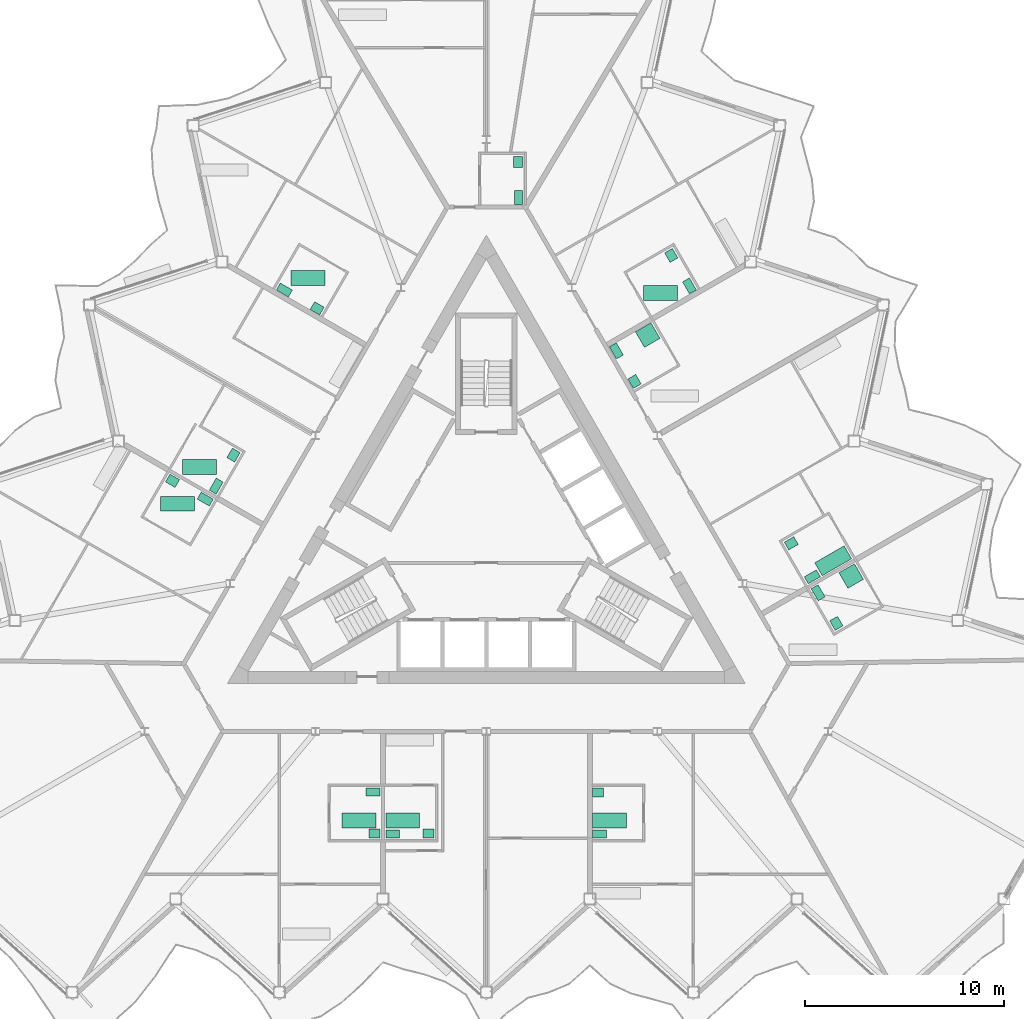
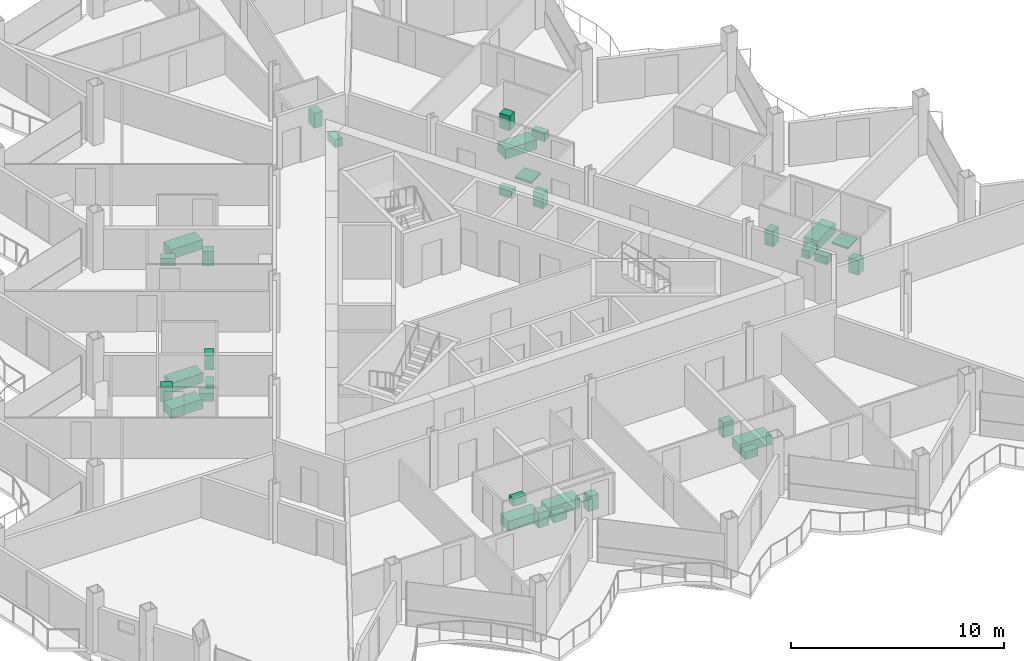
# One storey, part 25 of 26: 32 sanitary terminals.
"""IFC4 building model written with IfcOpenShell, lengths in metres."""

from ifc_helpers import new_model, si_unit, direction, frame, origin, origin_2d, place, context, subcontext, project, spatial, rectangle, extrude, material, type_object, element, save


model = new_model("IFC4")

# Units and contexts
model_context = context("Model", 3, precision=1e-05, world=origin(), true_north=direction((0.0, 1.0)))
body_context = subcontext(model_context, "Body", "Model", "MODEL_VIEW")
ifc_project = project(units=[si_unit("LENGTHUNIT", "METRE"), si_unit("AREAUNIT", "SQUARE_METRE"), si_unit("VOLUMEUNIT", "CUBIC_METRE"), si_unit("PLANEANGLEUNIT", "RADIAN"), si_unit("MASSUNIT", "GRAM", prefix="KILO")], contexts=[model_context])

# Site, building, storey
site_placement = place(None, origin())
site = spatial("IfcSite", under=ifc_project, at=site_placement, CompositionType="ELEMENT")
building_placement = place(site_placement, origin())
building = spatial("IfcBuilding", under=site, at=building_placement, Name="Cormorant Prow Tower", CompositionType="ELEMENT")
storey_placement = place(building_placement, frame((0.0, 0.0, 322.199951171875)))
storey = spatial("IfcBuildingStorey", under=building, at=storey_placement, Name="L71", CompositionType="ELEMENT", Elevation=322.199951171875)

# Sanitary terminals
ifc_material_1 = material(Name="Vitreous china")
sanitary_terminal_type_1 = type_object("IfcSanitaryTerminalType", Name="Bath 1700x750", PredefinedType="BATH", material=ifc_material_1)
for number, where, z_axis, x_axis, name in (
    (1, (-6.399658203125, -14.385498046875, 0.0), (0.0, 0.0, 1.0), (1.0, 0.0, 0.0), "Bath"),
    (2, (-4.19970703125, -14.385498046875, 0.0), (0.0, 0.0, 1.0), (1.0, 0.0, 0.0), "Bath"),
    (3, (6.189697265625, -14.385498046875, 0.0), (0.0, 0.0, 1.0), (1.0, 0.0, 0.0), "Bath"),
    (4, (17.41455078125, -1.341796875, 0.0), (0.0, 0.0, 1.0), (-0.866025403784, -0.5, 0.0), "Bath"),
    (5, (8.7490234375, 12.106201171875, 0.0), (0.0, 0.0, 1.0), (1.0, 0.0, 0.0), "Bath"),
    (6, (-8.964599609375, 12.856201171875, 0.0), (0.0, 0.0, 1.0), (1.0, 0.0, 0.0), "Bath"),
    (7, (-14.4091796875, 3.35888671875, 0.0), (0.0, 0.0, 1.0), (1.0, 0.0, 0.0), "Bath"),
    (8, (-15.50927734375, 1.5205078125, 0.0), (0.0, 0.0, 1.0), (1.0, 0.0, 0.0), "Bath"),
):
    element("IfcSanitaryTerminal", number, at=place(storey_placement, frame(where, z_axis=z_axis, x_axis=x_axis)), inside=storey, type_object=sanitary_terminal_type_1, Name=name, PredefinedType="BATH", context=body_context, shape_type="SweptSolid", body=[
        extrude(rectangle(XDim=1.699951171875, YDim=0.75, at=origin_2d()), origin(), (0.0, 0.0, 1.0), 0.550048828125),
    ])
ifc_material_2 = material(Name="Vitreous china")
sanitary_terminal_type_2 = type_object("IfcSanitaryTerminalType", Name="Shower tray 900x900", PredefinedType="SHOWER", material=ifc_material_2)
for number, where, z_axis, x_axis, name in (
    (9, (18.318603515625, -2.107421875, 0.0), (0.0, 0.0, 1.0), (0.5, -0.866025403784, 0.0), "Shower tray"),
    (10, (8.1015625, 9.98876953125, 0.0), (0.0, 0.0, 1.0), (0.5, -0.866025403784, 0.0), "Shower tray"),
):
    element("IfcSanitaryTerminal", number, at=place(storey_placement, frame(where, z_axis=z_axis, x_axis=x_axis)), inside=storey, type_object=sanitary_terminal_type_2, Name=name, PredefinedType="SHOWER", context=body_context, shape_type="SweptSolid", body=[
        extrude(rectangle(XDim=0.89990234375, YDim=0.89990234375, at=origin_2d()), origin(), (0.0, 0.0, 1.0), 0.10009765625),
    ])
ifc_material_3 = material(Name="Vitreous china")
sanitary_terminal_type_3 = type_object("IfcSanitaryTerminalType", Name="Wash basin 550x450", PredefinedType="WASHHANDBASIN", material=ifc_material_3)
for number, where, z_axis, x_axis, name in (
    (11, (-5.61474609375, -15.03564453125, 0.0), (0.0, 0.0, 1.0), (-1.0, 0.0, 0.0), "Wash basin"),
    (12, (-2.914794921875, -15.03564453125, 0.0), (0.0, 0.0, 1.0), (-1.0, 0.0, 0.0), "Wash basin"),
    (13, (5.61474609375, -12.9755859375, 0.0), (0.0, 0.0, 1.0), (1.0, 0.0, 0.0), "Wash basin"),
    (14, (17.572021484375, -4.484375, 0.0), (0.0, 0.0, 1.0), (-0.5, 0.866025403784, 0.0), "Wash basin"),
    (15, (15.310302734375, -0.466796875, 0.0), (0.0, 0.0, 1.0), (0.866025403784, 0.5, 0.0), "Wash basin"),
    (16, (7.44140625, 7.662109375, 0.0), (0.0, 0.0, 1.0), (-0.5, 0.866025403784, 0.0), "Wash basin"),
    (17, (9.28369140625, 13.9912109375, 0.0), (0.0, 0.0, 1.0), (0.5, -0.866025403784, 0.0), "Wash basin"),
    (18, (1.593017578125, 18.691162109375, 0.0), (0.0, 0.0, 1.0), (0.0, -1.0, 0.0), "Wash basin"),
    (19, (-8.498046875, 11.33203125, 0.0), (0.0, 0.0, 1.0), (-0.866025403784, 0.5, 0.0), "Wash basin"),
    (20, (-12.694580078125, 3.963623046875, 0.0), (0.0, 0.0, 1.0), (-0.5, -0.866025403784, 0.0), "Wash basin"),
    (21, (-15.76025390625, 2.673583984375, 0.0), (0.0, 0.0, 1.0), (0.866025403784, -0.5, 0.0), "Wash basin"),
):
    element("IfcSanitaryTerminal", number, at=place(storey_placement, frame(where, z_axis=z_axis, x_axis=x_axis)), inside=storey, type_object=sanitary_terminal_type_3, Name=name, PredefinedType="WASHHANDBASIN", context=body_context, shape_type="SweptSolid", body=[
        extrude(rectangle(XDim=0.550048828125, YDim=0.449951171875, at=origin_2d()), origin(), (0.0, 0.0, 1.0), 0.85009765625),
    ])
ifc_material_4 = material(Name="Vitreous china")
sanitary_terminal_type_4 = type_object("IfcSanitaryTerminalType", Name="Water closet 400x700", PredefinedType="WCSEAT", material=ifc_material_4)
for number, where, z_axis, x_axis, name in (
    (22, (-5.689697265625, -12.95068359375, 0.0), (0.0, 0.0, 1.0), (0.0, -1.0, 0.0), "Water closet"),
    (23, (-4.69970703125, -15.060546875, 0.0), (0.0, 0.0, 1.0), (0.0, 1.0, 0.0), "Water closet"),
    (24, (5.689697265625, -15.060546875, 0.0), (0.0, 0.0, 1.0), (0.0, 1.0, 0.0), "Water closet"),
    (25, (16.65771484375, -2.950927734375, 0.0), (0.0, 0.0, 1.0), (0.866025403784, 0.5, 0.0), "Water closet"),
    (26, (16.36767578125, -2.1484375, 0.0), (0.0, 0.0, 1.0), (-0.5, 0.866025403784, 0.0), "Water closet"),
    (27, (6.52734375, 9.1953125, 0.0), (0.0, 0.0, 1.0), (0.866025403784, 0.5, 0.0), "Water closet"),
    (28, (10.197998046875, 12.457763671875, 0.0), (0.0, 0.0, 1.0), (-0.866025403784, -0.5, 0.0), "Water closet"),
    (29, (1.617919921875, 16.906005859375, 0.0), (0.0, 0.0, 1.0), (-1.0, 0.0, 0.0), "Water closet"),
    (30, (-10.14306640625, 12.252685546875, 0.0), (0.0, 0.0, 1.0), (0.5, 0.866025403784, 0.0), "Water closet"),
    (31, (-13.5654296875, 2.4052734375, 0.0), (0.0, 0.0, 1.0), (-0.866025403784, 0.5, 0.0), "Water closet"),
    (32, (-14.115234375, 1.752685546875, 0.0), (0.0, 0.0, 1.0), (-0.5, -0.866025403784, 0.0), "Water closet"),
):
    element("IfcSanitaryTerminal", number, at=place(storey_placement, frame(where, z_axis=z_axis, x_axis=x_axis)), inside=storey, type_object=sanitary_terminal_type_4, Name=name, PredefinedType="WCSEAT", context=body_context, shape_type="SweptSolid", body=[
        extrude(rectangle(XDim=0.39990234375, YDim=0.699951171875, at=origin_2d()), origin(), (0.0, 0.0, 1.0), 0.449951171875),
    ])

save(model, "model.ifc")
